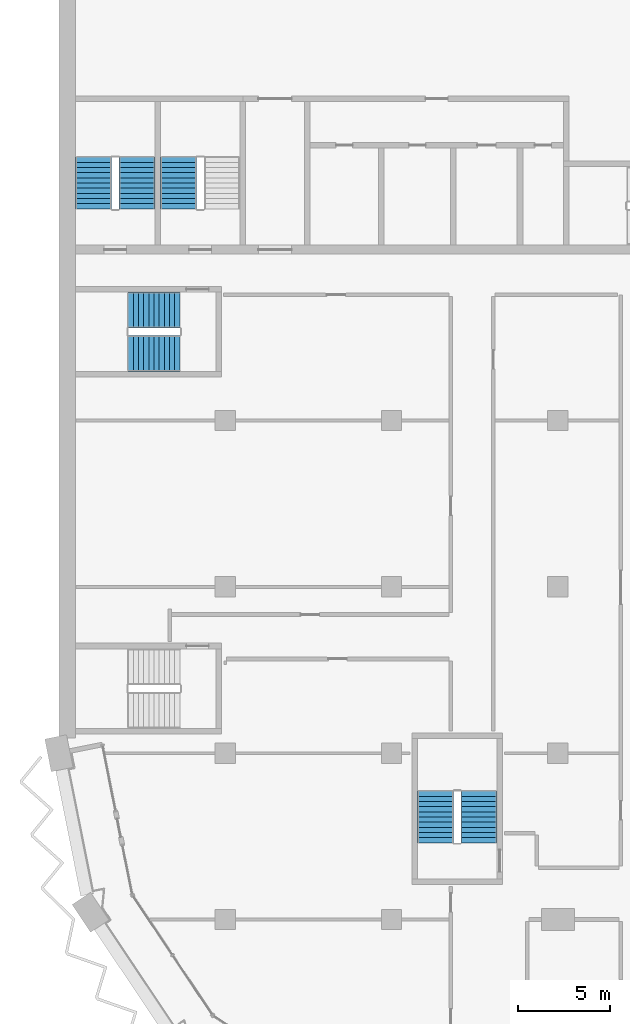
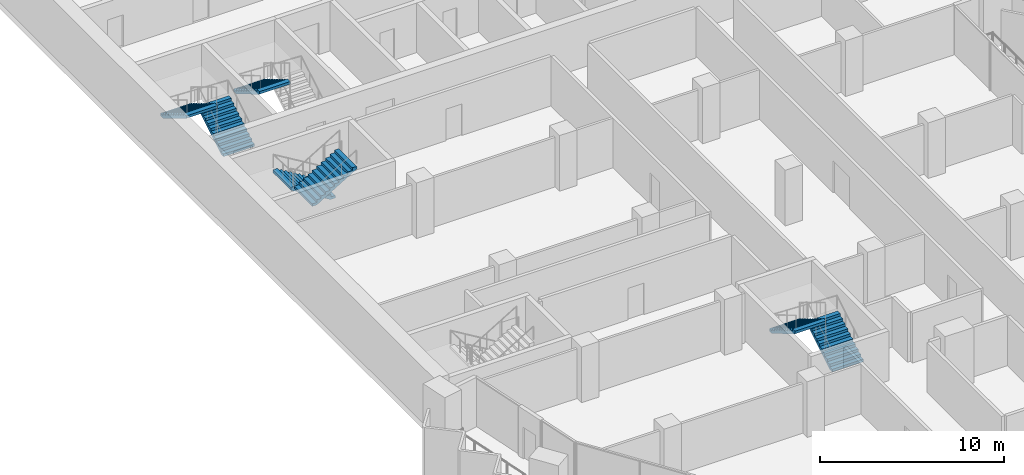
# One storey, part 12 of 17: 7 stair flights, 4 elements without a shape of their own.
"""IFC4 building model written with IfcOpenShell, lengths in metres."""

from ifc_helpers import new_model, si_unit, direction, frame, origin, place, context, subcontext, project, spatial, polyline, outline, extrude, material, type_object, element, aggregate, save


model = new_model("IFC4")

# Units and contexts
model_context = context("Model", 3, precision=1e-05, world=origin(), true_north=direction((0.0, 1.0)))
body_context = subcontext(model_context, "Body", "Model", "MODEL_VIEW")
ifc_project = project(units=[si_unit("LENGTHUNIT", "METRE"), si_unit("AREAUNIT", "SQUARE_METRE"), si_unit("VOLUMEUNIT", "CUBIC_METRE"), si_unit("PLANEANGLEUNIT", "RADIAN"), si_unit("MASSUNIT", "GRAM", prefix="KILO")], contexts=[model_context])

# Site, building, storey
site_placement = place(None, origin())
site = spatial("IfcSite", under=ifc_project, at=site_placement, CompositionType="ELEMENT")
building_placement = place(site_placement, origin())
building = spatial("IfcBuilding", under=site, at=building_placement, Name="Hunhe Ridgeline Campus", CompositionType="ELEMENT")
storey_placement = place(building_placement, frame((0.0, 0.0, 205.0)))
storey = spatial("IfcBuildingStorey", under=building, at=storey_placement, Name="L52", CompositionType="ELEMENT", Elevation=205.0)

# Stair, stair flights
ifc_material = material(Name="Concrete C40", Category="concrete")
stair_type = type_object("IfcStairType", Name="Reinforced concrete dog-leg stair 1950 Concrete C40", PredefinedType="HALF_TURN_STAIR", material=ifc_material)
stair_1_placement = place(storey_placement, origin())
stair_1 = element("IfcStair", 1, at=stair_1_placement, inside=storey, type_object=stair_type, Name="L52 S3", PredefinedType="HALF_TURN_STAIR")
stair_flight_type = type_object("IfcStairFlightType", Name="Reinforced concrete stair flight 1950 Concrete C40", PredefinedType="STRAIGHT", material=ifc_material)
stair_flight_1_placement = place(storey_placement, frame((4.22509765625, 65.449951171875, 0.0), z_axis=(0.0, 0.0, 1.0), x_axis=(0.0, 1.0, 0.0)))
stair_flight_1 = element("IfcStairFlight", 2, at=stair_flight_1_placement, type_object=stair_flight_type, Name="ST3 flight 1", NumberOfRisers=11, NumberOfTreads=10, PredefinedType="STRAIGHT", RiserHeight=0.168181818, TreadLength=0.28, context=body_context, shape_type="SweptSolid", body=[
    extrude(outline(polyline([(0.0, 0.0), (0.0, 0.168212890625), (0.280029296875, 0.168212890625), (0.280029296875, 0.33642578125), (0.56005859375, 0.33642578125), (0.56005859375, 0.504638671875), (0.840087890625, 0.504638671875), (0.840087890625, 0.672607421875), (1.1201171875, 0.672607421875), (1.1201171875, 0.8408203125), (1.39990234375, 0.8408203125), (1.39990234375, 1.009033203125), (1.679931640625, 1.009033203125), (1.679931640625, 1.17724609375), (1.9599609375, 1.17724609375), (1.9599609375, 1.345458984375), (2.239990234375, 1.345458984375), (2.239990234375, 1.513671875), (2.52001953125, 1.513671875), (2.52001953125, 1.681884765625), (2.800048828125, 1.681884765625), (2.800048828125, 1.85009765625), (2.800048828125, 1.5068359375), (0.291015625, 0.0), (0.0, 0.0)])), frame((0.0, 0.97509765625, 0.0), z_axis=(0.0, -1.0, 0.0), x_axis=(1.0, 0.0, 0.0)), (0.0, 0.0, 1.0), 1.949951171875),
    extrude(outline(polyline([(0.030029296875, 0.030029296875), (0.030029296875, 0.13818359375), (0.31005859375, 0.13818359375), (0.31005859375, 0.306396484375), (0.590087890625, 0.306396484375), (0.590087890625, 0.474609375), (0.8701171875, 0.474609375), (0.8701171875, 0.642578125), (1.14990234375, 0.642578125), (1.14990234375, 0.810791015625), (1.429931640625, 0.810791015625), (1.429931640625, 0.97900390625), (1.7099609375, 0.97900390625), (1.7099609375, 1.147216796875), (1.989990234375, 1.147216796875), (1.989990234375, 1.3154296875), (2.27001953125, 1.3154296875), (2.27001953125, 1.483642578125), (2.550048828125, 1.483642578125), (2.550048828125, 1.65185546875), (2.77001953125, 1.65185546875), (2.77001953125, 1.52392578125), (0.28271484375, 0.030029296875), (0.030029296875, 0.030029296875)])), frame((0.0, -0.070068359375, 0.0), z_axis=(0.0, -1.0, 0.0), x_axis=(1.0, 0.0, 0.0)), (0.0, 0.0, 1.0), 0.019775390625),
    extrude(outline(polyline([(0.030029296875, 0.030029296875), (0.030029296875, 0.13818359375), (0.31005859375, 0.13818359375), (0.31005859375, 0.306396484375), (0.590087890625, 0.306396484375), (0.590087890625, 0.474609375), (0.8701171875, 0.474609375), (0.8701171875, 0.642578125), (1.14990234375, 0.642578125), (1.14990234375, 0.810791015625), (1.429931640625, 0.810791015625), (1.429931640625, 0.97900390625), (1.7099609375, 0.97900390625), (1.7099609375, 1.147216796875), (1.989990234375, 1.147216796875), (1.989990234375, 1.3154296875), (2.27001953125, 1.3154296875), (2.27001953125, 1.483642578125), (2.550048828125, 1.483642578125), (2.550048828125, 1.65185546875), (2.77001953125, 1.65185546875), (2.77001953125, 1.52392578125), (0.28271484375, 0.030029296875), (0.030029296875, 0.030029296875)])), frame((0.0, 0.010009765625, 0.0), z_axis=(0.0, -1.0, 0.0), x_axis=(1.0, 0.0, 0.0)), (0.0, 0.0, 1.0), 0.019775390625),
    extrude(outline(polyline([(0.030029296875, 0.030029296875), (0.030029296875, 0.13818359375), (0.31005859375, 0.13818359375), (0.31005859375, 0.306396484375), (0.590087890625, 0.306396484375), (0.590087890625, 0.474609375), (0.8701171875, 0.474609375), (0.8701171875, 0.642578125), (1.14990234375, 0.642578125), (1.14990234375, 0.810791015625), (1.429931640625, 0.810791015625), (1.429931640625, 0.97900390625), (1.7099609375, 0.97900390625), (1.7099609375, 1.147216796875), (1.989990234375, 1.147216796875), (1.989990234375, 1.3154296875), (2.27001953125, 1.3154296875), (2.27001953125, 1.483642578125), (2.550048828125, 1.483642578125), (2.550048828125, 1.65185546875), (2.77001953125, 1.65185546875), (2.77001953125, 1.52392578125), (0.28271484375, 0.030029296875), (0.030029296875, 0.030029296875)])), frame((0.0, 0.090087890625, 0.0), z_axis=(0.0, -1.0, 0.0), x_axis=(1.0, 0.0, 0.0)), (0.0, 0.0, 1.0), 0.019775390625),
])
stair_flight_2_placement = place(storey_placement, frame((1.875, 68.25, 1.85009765625), z_axis=(0.0, 0.0, 1.0), x_axis=(0.0, -1.0, 0.0)))
stair_flight_2 = element("IfcStairFlight", 3, at=stair_flight_2_placement, type_object=stair_flight_type, Name="ST3 flight 2", NumberOfRisers=11, NumberOfTreads=10, PredefinedType="STRAIGHT", RiserHeight=0.168181818, TreadLength=0.28, context=body_context, shape_type="SweptSolid", body=[
    extrude(outline(polyline([(0.0, 0.0), (0.0, 0.168212890625), (0.280029296875, 0.168212890625), (0.280029296875, 0.33642578125), (0.56005859375, 0.33642578125), (0.56005859375, 0.504638671875), (0.840087890625, 0.504638671875), (0.840087890625, 0.672607421875), (1.1201171875, 0.672607421875), (1.1201171875, 0.8408203125), (1.39990234375, 0.8408203125), (1.39990234375, 1.009033203125), (1.679931640625, 1.009033203125), (1.679931640625, 1.17724609375), (1.9599609375, 1.17724609375), (1.9599609375, 1.345458984375), (2.239990234375, 1.345458984375), (2.239990234375, 1.513671875), (2.52001953125, 1.513671875), (2.52001953125, 1.681884765625), (2.800048828125, 1.681884765625), (2.800048828125, 1.85009765625), (2.800048828125, 1.5068359375), (0.291015625, 0.0), (0.0, 0.0)])), frame((0.0, 0.97509765625, 0.0), z_axis=(0.0, -1.0, 0.0), x_axis=(1.0, 0.0, 0.0)), (0.0, 0.0, 1.0), 1.949951171875),
    extrude(outline(polyline([(0.030029296875, 0.030029296875), (0.030029296875, 0.13818359375), (0.31005859375, 0.13818359375), (0.31005859375, 0.306396484375), (0.590087890625, 0.306396484375), (0.590087890625, 0.474609375), (0.8701171875, 0.474609375), (0.8701171875, 0.642578125), (1.14990234375, 0.642578125), (1.14990234375, 0.810791015625), (1.429931640625, 0.810791015625), (1.429931640625, 0.97900390625), (1.7099609375, 0.97900390625), (1.7099609375, 1.147216796875), (1.989990234375, 1.147216796875), (1.989990234375, 1.3154296875), (2.27001953125, 1.3154296875), (2.27001953125, 1.483642578125), (2.550048828125, 1.483642578125), (2.550048828125, 1.65185546875), (2.77001953125, 1.65185546875), (2.77001953125, 1.52392578125), (0.28271484375, 0.030029296875), (0.030029296875, 0.030029296875)])), frame((0.0, -0.070068359375, 0.0), z_axis=(0.0, -1.0, 0.0), x_axis=(1.0, 0.0, 0.0)), (0.0, 0.0, 1.0), 0.019775390625),
    extrude(outline(polyline([(0.030029296875, 0.030029296875), (0.030029296875, 0.13818359375), (0.31005859375, 0.13818359375), (0.31005859375, 0.306396484375), (0.590087890625, 0.306396484375), (0.590087890625, 0.474609375), (0.8701171875, 0.474609375), (0.8701171875, 0.642578125), (1.14990234375, 0.642578125), (1.14990234375, 0.810791015625), (1.429931640625, 0.810791015625), (1.429931640625, 0.97900390625), (1.7099609375, 0.97900390625), (1.7099609375, 1.147216796875), (1.989990234375, 1.147216796875), (1.989990234375, 1.3154296875), (2.27001953125, 1.3154296875), (2.27001953125, 1.483642578125), (2.550048828125, 1.483642578125), (2.550048828125, 1.65185546875), (2.77001953125, 1.65185546875), (2.77001953125, 1.52392578125), (0.28271484375, 0.030029296875), (0.030029296875, 0.030029296875)])), frame((0.0, 0.010009765625, 0.0), z_axis=(0.0, -1.0, 0.0), x_axis=(1.0, 0.0, 0.0)), (0.0, 0.0, 1.0), 0.019775390625),
    extrude(outline(polyline([(0.030029296875, 0.030029296875), (0.030029296875, 0.13818359375), (0.31005859375, 0.13818359375), (0.31005859375, 0.306396484375), (0.590087890625, 0.306396484375), (0.590087890625, 0.474609375), (0.8701171875, 0.474609375), (0.8701171875, 0.642578125), (1.14990234375, 0.642578125), (1.14990234375, 0.810791015625), (1.429931640625, 0.810791015625), (1.429931640625, 0.97900390625), (1.7099609375, 0.97900390625), (1.7099609375, 1.147216796875), (1.989990234375, 1.147216796875), (1.989990234375, 1.3154296875), (2.27001953125, 1.3154296875), (2.27001953125, 1.483642578125), (2.550048828125, 1.483642578125), (2.550048828125, 1.65185546875), (2.77001953125, 1.65185546875), (2.77001953125, 1.52392578125), (0.28271484375, 0.030029296875), (0.030029296875, 0.030029296875)])), frame((0.0, 0.090087890625, 0.0), z_axis=(0.0, -1.0, 0.0), x_axis=(1.0, 0.0, 0.0)), (0.0, 0.0, 1.0), 0.019775390625),
])
aggregate(stair_1, [stair_flight_1, stair_flight_2])

# Stair, stair flight
stair_2_placement = place(storey_placement, origin())
stair_2 = element("IfcStair", 4, at=stair_2_placement, inside=storey, type_object=stair_type, Name="L52 S4", PredefinedType="HALF_TURN_STAIR")
stair_flight_3_placement = place(storey_placement, frame((6.47509765625, 68.25, 1.85009765625), z_axis=(0.0, 0.0, 1.0), x_axis=(0.0, -1.0, 0.0)))
stair_flight_3 = element("IfcStairFlight", 5, at=stair_flight_3_placement, type_object=stair_flight_type, Name="ST4 flight 2", NumberOfRisers=11, NumberOfTreads=10, PredefinedType="STRAIGHT", RiserHeight=0.168181818, TreadLength=0.28, context=body_context, shape_type="SweptSolid", body=[
    extrude(outline(polyline([(0.0, 0.0), (0.0, 0.168212890625), (0.280029296875, 0.168212890625), (0.280029296875, 0.33642578125), (0.56005859375, 0.33642578125), (0.56005859375, 0.504638671875), (0.840087890625, 0.504638671875), (0.840087890625, 0.672607421875), (1.1201171875, 0.672607421875), (1.1201171875, 0.8408203125), (1.39990234375, 0.8408203125), (1.39990234375, 1.009033203125), (1.679931640625, 1.009033203125), (1.679931640625, 1.17724609375), (1.9599609375, 1.17724609375), (1.9599609375, 1.345458984375), (2.239990234375, 1.345458984375), (2.239990234375, 1.513671875), (2.52001953125, 1.513671875), (2.52001953125, 1.681884765625), (2.800048828125, 1.681884765625), (2.800048828125, 1.85009765625), (2.800048828125, 1.5068359375), (0.291015625, 0.0), (0.0, 0.0)])), frame((0.0, 0.97509765625, 0.0), z_axis=(0.0, -1.0, 0.0), x_axis=(1.0, 0.0, 0.0)), (0.0, 0.0, 1.0), 1.949951171875),
    extrude(outline(polyline([(0.030029296875, 0.030029296875), (0.030029296875, 0.13818359375), (0.31005859375, 0.13818359375), (0.31005859375, 0.306396484375), (0.590087890625, 0.306396484375), (0.590087890625, 0.474609375), (0.8701171875, 0.474609375), (0.8701171875, 0.642578125), (1.14990234375, 0.642578125), (1.14990234375, 0.810791015625), (1.429931640625, 0.810791015625), (1.429931640625, 0.97900390625), (1.7099609375, 0.97900390625), (1.7099609375, 1.147216796875), (1.989990234375, 1.147216796875), (1.989990234375, 1.3154296875), (2.27001953125, 1.3154296875), (2.27001953125, 1.483642578125), (2.550048828125, 1.483642578125), (2.550048828125, 1.65185546875), (2.77001953125, 1.65185546875), (2.77001953125, 1.52392578125), (0.28271484375, 0.030029296875), (0.030029296875, 0.030029296875)])), frame((0.0, -0.070068359375, 0.0), z_axis=(0.0, -1.0, 0.0), x_axis=(1.0, 0.0, 0.0)), (0.0, 0.0, 1.0), 0.019775390625),
    extrude(outline(polyline([(0.030029296875, 0.030029296875), (0.030029296875, 0.13818359375), (0.31005859375, 0.13818359375), (0.31005859375, 0.306396484375), (0.590087890625, 0.306396484375), (0.590087890625, 0.474609375), (0.8701171875, 0.474609375), (0.8701171875, 0.642578125), (1.14990234375, 0.642578125), (1.14990234375, 0.810791015625), (1.429931640625, 0.810791015625), (1.429931640625, 0.97900390625), (1.7099609375, 0.97900390625), (1.7099609375, 1.147216796875), (1.989990234375, 1.147216796875), (1.989990234375, 1.3154296875), (2.27001953125, 1.3154296875), (2.27001953125, 1.483642578125), (2.550048828125, 1.483642578125), (2.550048828125, 1.65185546875), (2.77001953125, 1.65185546875), (2.77001953125, 1.52392578125), (0.28271484375, 0.030029296875), (0.030029296875, 0.030029296875)])), frame((0.0, 0.010009765625, 0.0), z_axis=(0.0, -1.0, 0.0), x_axis=(1.0, 0.0, 0.0)), (0.0, 0.0, 1.0), 0.019775390625),
    extrude(outline(polyline([(0.030029296875, 0.030029296875), (0.030029296875, 0.13818359375), (0.31005859375, 0.13818359375), (0.31005859375, 0.306396484375), (0.590087890625, 0.306396484375), (0.590087890625, 0.474609375), (0.8701171875, 0.474609375), (0.8701171875, 0.642578125), (1.14990234375, 0.642578125), (1.14990234375, 0.810791015625), (1.429931640625, 0.810791015625), (1.429931640625, 0.97900390625), (1.7099609375, 0.97900390625), (1.7099609375, 1.147216796875), (1.989990234375, 1.147216796875), (1.989990234375, 1.3154296875), (2.27001953125, 1.3154296875), (2.27001953125, 1.483642578125), (2.550048828125, 1.483642578125), (2.550048828125, 1.65185546875), (2.77001953125, 1.65185546875), (2.77001953125, 1.52392578125), (0.28271484375, 0.030029296875), (0.030029296875, 0.030029296875)])), frame((0.0, 0.090087890625, 0.0), z_axis=(0.0, -1.0, 0.0), x_axis=(1.0, 0.0, 0.0)), (0.0, 0.0, 1.0), 0.019775390625),
])
aggregate(stair_2, [stair_flight_3])

# Stair, stair flights
stair_3_placement = place(storey_placement, origin())
stair_3 = element("IfcStair", 6, at=stair_3_placement, inside=storey, type_object=stair_type, Name="L52 W3", PredefinedType="HALF_TURN_STAIR")
stair_flight_4_placement = place(storey_placement, frame((22.72509765625, 31.14990234375, 0.0), z_axis=(0.0, 0.0, 1.0), x_axis=(0.0, 1.0, 0.0)))
stair_flight_4 = element("IfcStairFlight", 7, at=stair_flight_4_placement, type_object=stair_flight_type, Name="ST9 flight 1", NumberOfRisers=11, NumberOfTreads=10, PredefinedType="STRAIGHT", RiserHeight=0.168181818, TreadLength=0.28, context=body_context, shape_type="SweptSolid", body=[
    extrude(outline(polyline([(0.0, 0.0), (0.0, 0.168212890625), (0.280029296875, 0.168212890625), (0.280029296875, 0.33642578125), (0.56005859375, 0.33642578125), (0.56005859375, 0.504638671875), (0.840087890625, 0.504638671875), (0.840087890625, 0.672607421875), (1.1201171875, 0.672607421875), (1.1201171875, 0.8408203125), (1.39990234375, 0.8408203125), (1.39990234375, 1.009033203125), (1.679931640625, 1.009033203125), (1.679931640625, 1.17724609375), (1.9599609375, 1.17724609375), (1.9599609375, 1.345458984375), (2.239990234375, 1.345458984375), (2.239990234375, 1.513671875), (2.52001953125, 1.513671875), (2.52001953125, 1.681884765625), (2.800048828125, 1.681884765625), (2.800048828125, 1.85009765625), (2.800048828125, 1.5068359375), (0.291015625, 0.0), (0.0, 0.0)])), frame((0.0, 0.97509765625, 0.0), z_axis=(0.0, -1.0, 0.0), x_axis=(1.0, 0.0, 0.0)), (0.0, 0.0, 1.0), 1.949951171875),
    extrude(outline(polyline([(0.030029296875, 0.030029296875), (0.030029296875, 0.13818359375), (0.31005859375, 0.13818359375), (0.31005859375, 0.306396484375), (0.590087890625, 0.306396484375), (0.590087890625, 0.474609375), (0.8701171875, 0.474609375), (0.8701171875, 0.642578125), (1.14990234375, 0.642578125), (1.14990234375, 0.810791015625), (1.429931640625, 0.810791015625), (1.429931640625, 0.97900390625), (1.7099609375, 0.97900390625), (1.7099609375, 1.147216796875), (1.989990234375, 1.147216796875), (1.989990234375, 1.3154296875), (2.27001953125, 1.3154296875), (2.27001953125, 1.483642578125), (2.550048828125, 1.483642578125), (2.550048828125, 1.65185546875), (2.77001953125, 1.65185546875), (2.77001953125, 1.52392578125), (0.28271484375, 0.030029296875), (0.030029296875, 0.030029296875)])), frame((0.0, -0.070068359375, 0.0), z_axis=(0.0, -1.0, 0.0), x_axis=(1.0, 0.0, 0.0)), (0.0, 0.0, 1.0), 0.019775390625),
    extrude(outline(polyline([(0.030029296875, 0.030029296875), (0.030029296875, 0.13818359375), (0.31005859375, 0.13818359375), (0.31005859375, 0.306396484375), (0.590087890625, 0.306396484375), (0.590087890625, 0.474609375), (0.8701171875, 0.474609375), (0.8701171875, 0.642578125), (1.14990234375, 0.642578125), (1.14990234375, 0.810791015625), (1.429931640625, 0.810791015625), (1.429931640625, 0.97900390625), (1.7099609375, 0.97900390625), (1.7099609375, 1.147216796875), (1.989990234375, 1.147216796875), (1.989990234375, 1.3154296875), (2.27001953125, 1.3154296875), (2.27001953125, 1.483642578125), (2.550048828125, 1.483642578125), (2.550048828125, 1.65185546875), (2.77001953125, 1.65185546875), (2.77001953125, 1.52392578125), (0.28271484375, 0.030029296875), (0.030029296875, 0.030029296875)])), frame((0.0, 0.010009765625, 0.0), z_axis=(0.0, -1.0, 0.0), x_axis=(1.0, 0.0, 0.0)), (0.0, 0.0, 1.0), 0.019775390625),
    extrude(outline(polyline([(0.030029296875, 0.030029296875), (0.030029296875, 0.13818359375), (0.31005859375, 0.13818359375), (0.31005859375, 0.306396484375), (0.590087890625, 0.306396484375), (0.590087890625, 0.474609375), (0.8701171875, 0.474609375), (0.8701171875, 0.642578125), (1.14990234375, 0.642578125), (1.14990234375, 0.810791015625), (1.429931640625, 0.810791015625), (1.429931640625, 0.97900390625), (1.7099609375, 0.97900390625), (1.7099609375, 1.147216796875), (1.989990234375, 1.147216796875), (1.989990234375, 1.3154296875), (2.27001953125, 1.3154296875), (2.27001953125, 1.483642578125), (2.550048828125, 1.483642578125), (2.550048828125, 1.65185546875), (2.77001953125, 1.65185546875), (2.77001953125, 1.52392578125), (0.28271484375, 0.030029296875), (0.030029296875, 0.030029296875)])), frame((0.0, 0.090087890625, 0.0), z_axis=(0.0, -1.0, 0.0), x_axis=(1.0, 0.0, 0.0)), (0.0, 0.0, 1.0), 0.019775390625),
])
stair_flight_5_placement = place(storey_placement, frame((20.375, 33.949951171875, 1.85009765625), z_axis=(0.0, 0.0, 1.0), x_axis=(0.0, -1.0, 0.0)))
stair_flight_5 = element("IfcStairFlight", 8, at=stair_flight_5_placement, type_object=stair_flight_type, Name="ST9 flight 2", NumberOfRisers=11, NumberOfTreads=10, PredefinedType="STRAIGHT", RiserHeight=0.168181818, TreadLength=0.28, context=body_context, shape_type="SweptSolid", body=[
    extrude(outline(polyline([(0.0, 0.0), (0.0, 0.168212890625), (0.280029296875, 0.168212890625), (0.280029296875, 0.33642578125), (0.56005859375, 0.33642578125), (0.56005859375, 0.504638671875), (0.840087890625, 0.504638671875), (0.840087890625, 0.672607421875), (1.1201171875, 0.672607421875), (1.1201171875, 0.8408203125), (1.39990234375, 0.8408203125), (1.39990234375, 1.009033203125), (1.679931640625, 1.009033203125), (1.679931640625, 1.17724609375), (1.9599609375, 1.17724609375), (1.9599609375, 1.345458984375), (2.239990234375, 1.345458984375), (2.239990234375, 1.513671875), (2.52001953125, 1.513671875), (2.52001953125, 1.681884765625), (2.800048828125, 1.681884765625), (2.800048828125, 1.85009765625), (2.800048828125, 1.5068359375), (0.291015625, 0.0), (0.0, 0.0)])), frame((0.0, 0.97509765625, 0.0), z_axis=(0.0, -1.0, 0.0), x_axis=(1.0, 0.0, 0.0)), (0.0, 0.0, 1.0), 1.949951171875),
    extrude(outline(polyline([(0.030029296875, 0.030029296875), (0.030029296875, 0.13818359375), (0.31005859375, 0.13818359375), (0.31005859375, 0.306396484375), (0.590087890625, 0.306396484375), (0.590087890625, 0.474609375), (0.8701171875, 0.474609375), (0.8701171875, 0.642578125), (1.14990234375, 0.642578125), (1.14990234375, 0.810791015625), (1.429931640625, 0.810791015625), (1.429931640625, 0.97900390625), (1.7099609375, 0.97900390625), (1.7099609375, 1.147216796875), (1.989990234375, 1.147216796875), (1.989990234375, 1.3154296875), (2.27001953125, 1.3154296875), (2.27001953125, 1.483642578125), (2.550048828125, 1.483642578125), (2.550048828125, 1.65185546875), (2.77001953125, 1.65185546875), (2.77001953125, 1.52392578125), (0.28271484375, 0.030029296875), (0.030029296875, 0.030029296875)])), frame((0.0, -0.070068359375, 0.0), z_axis=(0.0, -1.0, 0.0), x_axis=(1.0, 0.0, 0.0)), (0.0, 0.0, 1.0), 0.019775390625),
    extrude(outline(polyline([(0.030029296875, 0.030029296875), (0.030029296875, 0.13818359375), (0.31005859375, 0.13818359375), (0.31005859375, 0.306396484375), (0.590087890625, 0.306396484375), (0.590087890625, 0.474609375), (0.8701171875, 0.474609375), (0.8701171875, 0.642578125), (1.14990234375, 0.642578125), (1.14990234375, 0.810791015625), (1.429931640625, 0.810791015625), (1.429931640625, 0.97900390625), (1.7099609375, 0.97900390625), (1.7099609375, 1.147216796875), (1.989990234375, 1.147216796875), (1.989990234375, 1.3154296875), (2.27001953125, 1.3154296875), (2.27001953125, 1.483642578125), (2.550048828125, 1.483642578125), (2.550048828125, 1.65185546875), (2.77001953125, 1.65185546875), (2.77001953125, 1.52392578125), (0.28271484375, 0.030029296875), (0.030029296875, 0.030029296875)])), frame((0.0, 0.010009765625, 0.0), z_axis=(0.0, -1.0, 0.0), x_axis=(1.0, 0.0, 0.0)), (0.0, 0.0, 1.0), 0.019775390625),
    extrude(outline(polyline([(0.030029296875, 0.030029296875), (0.030029296875, 0.13818359375), (0.31005859375, 0.13818359375), (0.31005859375, 0.306396484375), (0.590087890625, 0.306396484375), (0.590087890625, 0.474609375), (0.8701171875, 0.474609375), (0.8701171875, 0.642578125), (1.14990234375, 0.642578125), (1.14990234375, 0.810791015625), (1.429931640625, 0.810791015625), (1.429931640625, 0.97900390625), (1.7099609375, 0.97900390625), (1.7099609375, 1.147216796875), (1.989990234375, 1.147216796875), (1.989990234375, 1.3154296875), (2.27001953125, 1.3154296875), (2.27001953125, 1.483642578125), (2.550048828125, 1.483642578125), (2.550048828125, 1.65185546875), (2.77001953125, 1.65185546875), (2.77001953125, 1.52392578125), (0.28271484375, 0.030029296875), (0.030029296875, 0.030029296875)])), frame((0.0, 0.090087890625, 0.0), z_axis=(0.0, -1.0, 0.0), x_axis=(1.0, 0.0, 0.0)), (0.0, 0.0, 1.0), 0.019775390625),
])
aggregate(stair_3, [stair_flight_4, stair_flight_5])

stair_4_placement = place(storey_placement, origin())
stair_4 = element("IfcStair", 9, at=stair_4_placement, inside=storey, type_object=stair_type, Name="L52 W2", PredefinedType="HALF_TURN_STAIR")
stair_flight_6_placement = place(storey_placement, frame((6.550048828125, 59.97509765625, 0.0), z_axis=(0.0, 0.0, 1.0), x_axis=(-1.0, 0.0, 0.0)))
stair_flight_6 = element("IfcStairFlight", 10, at=stair_flight_6_placement, type_object=stair_flight_type, Name="ST12 flight 1", NumberOfRisers=11, NumberOfTreads=10, PredefinedType="STRAIGHT", RiserHeight=0.168181818, TreadLength=0.28, context=body_context, shape_type="SweptSolid", body=[
    extrude(outline(polyline([(0.0, 0.0), (0.0, 0.168212890625), (0.280029296875, 0.168212890625), (0.280029296875, 0.33642578125), (0.56005859375, 0.33642578125), (0.56005859375, 0.504638671875), (0.840087890625, 0.504638671875), (0.840087890625, 0.672607421875), (1.1201171875, 0.672607421875), (1.1201171875, 0.8408203125), (1.39990234375, 0.8408203125), (1.39990234375, 1.009033203125), (1.679931640625, 1.009033203125), (1.679931640625, 1.17724609375), (1.9599609375, 1.17724609375), (1.9599609375, 1.345458984375), (2.239990234375, 1.345458984375), (2.239990234375, 1.513671875), (2.52001953125, 1.513671875), (2.52001953125, 1.681884765625), (2.800048828125, 1.681884765625), (2.800048828125, 1.85009765625), (2.800048828125, 1.5068359375), (0.291015625, 0.0), (0.0, 0.0)])), frame((0.0, 0.97509765625, 0.0), z_axis=(0.0, -1.0, 0.0), x_axis=(1.0, 0.0, 0.0)), (0.0, 0.0, 1.0), 1.949951171875),
    extrude(outline(polyline([(0.030029296875, 0.030029296875), (0.030029296875, 0.13818359375), (0.31005859375, 0.13818359375), (0.31005859375, 0.306396484375), (0.590087890625, 0.306396484375), (0.590087890625, 0.474609375), (0.8701171875, 0.474609375), (0.8701171875, 0.642578125), (1.14990234375, 0.642578125), (1.14990234375, 0.810791015625), (1.429931640625, 0.810791015625), (1.429931640625, 0.97900390625), (1.7099609375, 0.97900390625), (1.7099609375, 1.147216796875), (1.989990234375, 1.147216796875), (1.989990234375, 1.3154296875), (2.27001953125, 1.3154296875), (2.27001953125, 1.483642578125), (2.550048828125, 1.483642578125), (2.550048828125, 1.65185546875), (2.77001953125, 1.65185546875), (2.77001953125, 1.52392578125), (0.28271484375, 0.030029296875), (0.030029296875, 0.030029296875)])), frame((0.0, -0.070068359375, 0.0), z_axis=(0.0, -1.0, 0.0), x_axis=(1.0, 0.0, 0.0)), (0.0, 0.0, 1.0), 0.019775390625),
    extrude(outline(polyline([(0.030029296875, 0.030029296875), (0.030029296875, 0.13818359375), (0.31005859375, 0.13818359375), (0.31005859375, 0.306396484375), (0.590087890625, 0.306396484375), (0.590087890625, 0.474609375), (0.8701171875, 0.474609375), (0.8701171875, 0.642578125), (1.14990234375, 0.642578125), (1.14990234375, 0.810791015625), (1.429931640625, 0.810791015625), (1.429931640625, 0.97900390625), (1.7099609375, 0.97900390625), (1.7099609375, 1.147216796875), (1.989990234375, 1.147216796875), (1.989990234375, 1.3154296875), (2.27001953125, 1.3154296875), (2.27001953125, 1.483642578125), (2.550048828125, 1.483642578125), (2.550048828125, 1.65185546875), (2.77001953125, 1.65185546875), (2.77001953125, 1.52392578125), (0.28271484375, 0.030029296875), (0.030029296875, 0.030029296875)])), frame((0.0, 0.010009765625, 0.0), z_axis=(0.0, -1.0, 0.0), x_axis=(1.0, 0.0, 0.0)), (0.0, 0.0, 1.0), 0.019775390625),
    extrude(outline(polyline([(0.030029296875, 0.030029296875), (0.030029296875, 0.13818359375), (0.31005859375, 0.13818359375), (0.31005859375, 0.306396484375), (0.590087890625, 0.306396484375), (0.590087890625, 0.474609375), (0.8701171875, 0.474609375), (0.8701171875, 0.642578125), (1.14990234375, 0.642578125), (1.14990234375, 0.810791015625), (1.429931640625, 0.810791015625), (1.429931640625, 0.97900390625), (1.7099609375, 0.97900390625), (1.7099609375, 1.147216796875), (1.989990234375, 1.147216796875), (1.989990234375, 1.3154296875), (2.27001953125, 1.3154296875), (2.27001953125, 1.483642578125), (2.550048828125, 1.483642578125), (2.550048828125, 1.65185546875), (2.77001953125, 1.65185546875), (2.77001953125, 1.52392578125), (0.28271484375, 0.030029296875), (0.030029296875, 0.030029296875)])), frame((0.0, 0.090087890625, 0.0), z_axis=(0.0, -1.0, 0.0), x_axis=(1.0, 0.0, 0.0)), (0.0, 0.0, 1.0), 0.019775390625),
])
stair_flight_7_placement = place(storey_placement, frame((3.75, 57.625, 1.85009765625), z_axis=(0.0, 0.0, 1.0), x_axis=(1.0, 0.0, 0.0)))
stair_flight_7 = element("IfcStairFlight", 11, at=stair_flight_7_placement, type_object=stair_flight_type, Name="ST12 flight 2", NumberOfRisers=11, NumberOfTreads=10, PredefinedType="STRAIGHT", RiserHeight=0.168181818, TreadLength=0.28, context=body_context, shape_type="SweptSolid", body=[
    extrude(outline(polyline([(0.0, 0.0), (0.0, 0.168212890625), (0.280029296875, 0.168212890625), (0.280029296875, 0.33642578125), (0.56005859375, 0.33642578125), (0.56005859375, 0.504638671875), (0.840087890625, 0.504638671875), (0.840087890625, 0.672607421875), (1.1201171875, 0.672607421875), (1.1201171875, 0.8408203125), (1.39990234375, 0.8408203125), (1.39990234375, 1.009033203125), (1.679931640625, 1.009033203125), (1.679931640625, 1.17724609375), (1.9599609375, 1.17724609375), (1.9599609375, 1.345458984375), (2.239990234375, 1.345458984375), (2.239990234375, 1.513671875), (2.52001953125, 1.513671875), (2.52001953125, 1.681884765625), (2.800048828125, 1.681884765625), (2.800048828125, 1.85009765625), (2.800048828125, 1.5068359375), (0.291015625, 0.0), (0.0, 0.0)])), frame((0.0, 0.97509765625, 0.0), z_axis=(0.0, -1.0, 0.0), x_axis=(1.0, 0.0, 0.0)), (0.0, 0.0, 1.0), 1.949951171875),
    extrude(outline(polyline([(0.030029296875, 0.030029296875), (0.030029296875, 0.13818359375), (0.31005859375, 0.13818359375), (0.31005859375, 0.306396484375), (0.590087890625, 0.306396484375), (0.590087890625, 0.474609375), (0.8701171875, 0.474609375), (0.8701171875, 0.642578125), (1.14990234375, 0.642578125), (1.14990234375, 0.810791015625), (1.429931640625, 0.810791015625), (1.429931640625, 0.97900390625), (1.7099609375, 0.97900390625), (1.7099609375, 1.147216796875), (1.989990234375, 1.147216796875), (1.989990234375, 1.3154296875), (2.27001953125, 1.3154296875), (2.27001953125, 1.483642578125), (2.550048828125, 1.483642578125), (2.550048828125, 1.65185546875), (2.77001953125, 1.65185546875), (2.77001953125, 1.52392578125), (0.28271484375, 0.030029296875), (0.030029296875, 0.030029296875)])), frame((0.0, -0.070068359375, 0.0), z_axis=(0.0, -1.0, 0.0), x_axis=(1.0, 0.0, 0.0)), (0.0, 0.0, 1.0), 0.019775390625),
    extrude(outline(polyline([(0.030029296875, 0.030029296875), (0.030029296875, 0.13818359375), (0.31005859375, 0.13818359375), (0.31005859375, 0.306396484375), (0.590087890625, 0.306396484375), (0.590087890625, 0.474609375), (0.8701171875, 0.474609375), (0.8701171875, 0.642578125), (1.14990234375, 0.642578125), (1.14990234375, 0.810791015625), (1.429931640625, 0.810791015625), (1.429931640625, 0.97900390625), (1.7099609375, 0.97900390625), (1.7099609375, 1.147216796875), (1.989990234375, 1.147216796875), (1.989990234375, 1.3154296875), (2.27001953125, 1.3154296875), (2.27001953125, 1.483642578125), (2.550048828125, 1.483642578125), (2.550048828125, 1.65185546875), (2.77001953125, 1.65185546875), (2.77001953125, 1.52392578125), (0.28271484375, 0.030029296875), (0.030029296875, 0.030029296875)])), frame((0.0, 0.010009765625, 0.0), z_axis=(0.0, -1.0, 0.0), x_axis=(1.0, 0.0, 0.0)), (0.0, 0.0, 1.0), 0.019775390625),
    extrude(outline(polyline([(0.030029296875, 0.030029296875), (0.030029296875, 0.13818359375), (0.31005859375, 0.13818359375), (0.31005859375, 0.306396484375), (0.590087890625, 0.306396484375), (0.590087890625, 0.474609375), (0.8701171875, 0.474609375), (0.8701171875, 0.642578125), (1.14990234375, 0.642578125), (1.14990234375, 0.810791015625), (1.429931640625, 0.810791015625), (1.429931640625, 0.97900390625), (1.7099609375, 0.97900390625), (1.7099609375, 1.147216796875), (1.989990234375, 1.147216796875), (1.989990234375, 1.3154296875), (2.27001953125, 1.3154296875), (2.27001953125, 1.483642578125), (2.550048828125, 1.483642578125), (2.550048828125, 1.65185546875), (2.77001953125, 1.65185546875), (2.77001953125, 1.52392578125), (0.28271484375, 0.030029296875), (0.030029296875, 0.030029296875)])), frame((0.0, 0.090087890625, 0.0), z_axis=(0.0, -1.0, 0.0), x_axis=(1.0, 0.0, 0.0)), (0.0, 0.0, 1.0), 0.019775390625),
])
aggregate(stair_4, [stair_flight_6, stair_flight_7])

save(model, "model.ifc")
